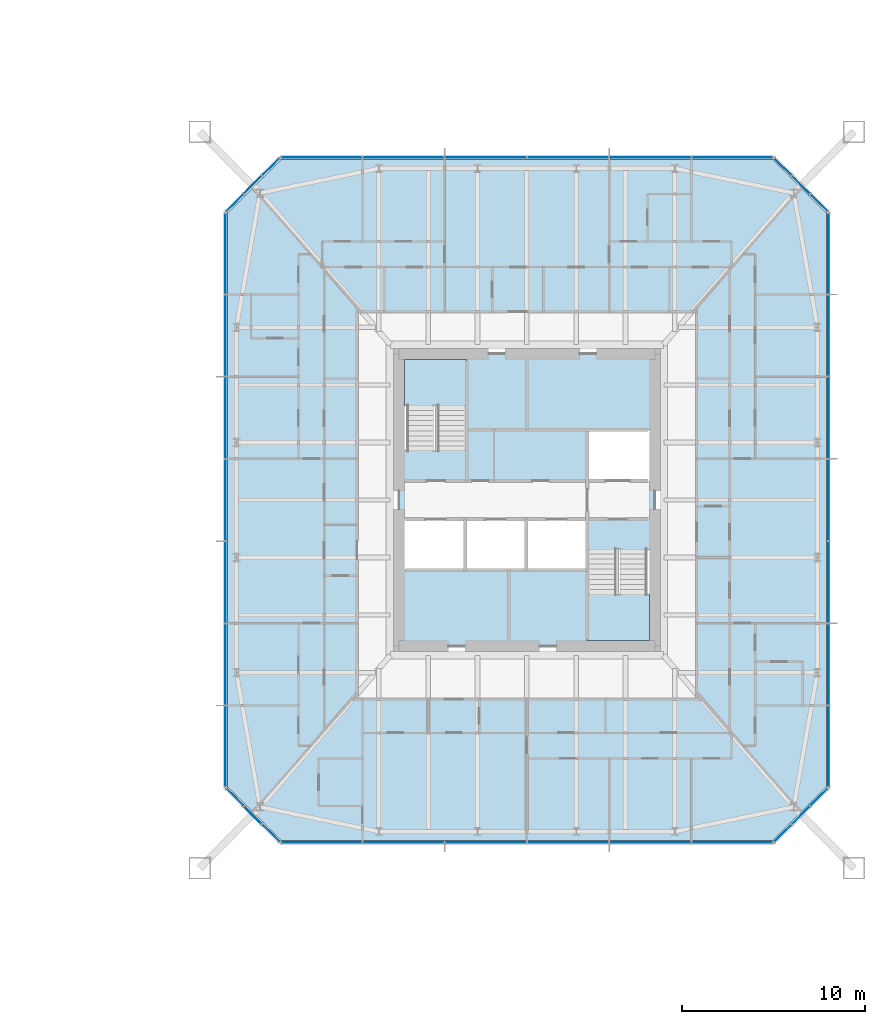
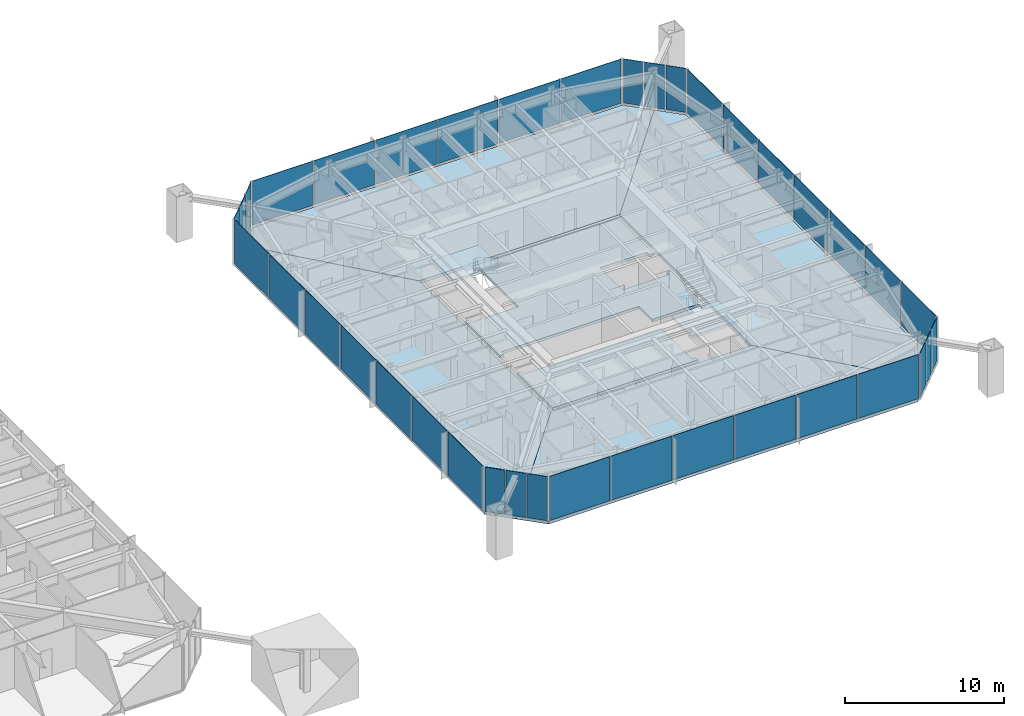
# One storey, part 13 of 26: 38 plates, 8 slabs, 10 elements without a shape of their own.
"""IFC4 building model written with IfcOpenShell, lengths in metres."""

from ifc_helpers import new_model, si_unit, direction, frame, origin, origin_2d, place, context, subcontext, project, spatial, polyline, rectangle, outline, extrude, material, layer, layer_set, constituent, constituent_set, type_object, element, aggregate, save


model = new_model("IFC4")

# Units and contexts
model_context = context("Model", 3, precision=1e-05, world=origin(), true_north=direction((0.0, 1.0)))
body_context = subcontext(model_context, "Body", "Model", "MODEL_VIEW")
ifc_project = project(units=[si_unit("LENGTHUNIT", "METRE"), si_unit("AREAUNIT", "SQUARE_METRE"), si_unit("VOLUMEUNIT", "CUBIC_METRE"), si_unit("PLANEANGLEUNIT", "RADIAN"), si_unit("MASSUNIT", "GRAM", prefix="KILO")], contexts=[model_context])

# Site, building, storey
site_placement = place(None, origin())
site = spatial("IfcSite", under=ifc_project, at=site_placement, CompositionType="ELEMENT")
building_placement = place(site_placement, origin())
building = spatial("IfcBuilding", under=site, at=building_placement, Name="Iwan Alto Co-Living Towers", CompositionType="ELEMENT")
storey_placement = place(building_placement, frame((0.0, 0.0, 22.0)))
storey = spatial("IfcBuildingStorey", under=building, at=storey_placement, Name="L05", CompositionType="ELEMENT", Elevation=22.0)

# Slabs
ifc_material_1 = material(Name="Concrete f'c 30 MPa", Category="concrete")
ifc_layer_1 = layer(ifc_material_1, 0.199951171875)
ifc_layer_set_1 = layer_set([ifc_layer_1], Name="CORE FLOOR SLAB 200")
slab_type_1 = type_object("IfcSlabType", Name="CORE FLOOR SLAB 200", PredefinedType="FLOOR", material=ifc_layer_set_1)
slab_1_placement = place(storey_placement, frame((0.0, 0.0, -0.199951171875)))
element("IfcSlab", 1, at=slab_1_placement, inside=storey, type_object=slab_type_1, Name="T2 core floor L05", PredefinedType="FLOOR", context=body_context, shape_type="SweptSolid", body=[
    extrude(outline(polyline([(70.0, -3.030029296875), (69.699951171875, -3.030029296875), (69.699951171875, -2.719970703125), (66.300048828125, -2.719970703125), (66.300048828125, -1.050048828125), (62.967041015625, -1.050048828125), (59.633056640625, -1.050048828125), (56.300048828125, -1.050048828125), (56.300048828125, -1.360107421875), (56.0, -1.360107421875), (56.0, 3.030029296875), (56.300048828125, 3.030029296875), (56.300048828125, 2.719970703125), (59.699951171875, 2.719970703125), (59.699951171875, 7.699951171875), (59.389892578125, 7.699951171875), (59.389892578125, 8.0), (70.0, 8.0), (70.0, 3.5400390625), (69.699951171875, 3.5400390625), (69.699951171875, 3.85009765625), (66.300048828125, 3.85009765625), (66.300048828125, 1.050048828125), (69.699951171875, 1.050048828125), (69.699951171875, 1.360107421875), (70.0, 1.360107421875), (70.0, -3.030029296875)])), origin(), (0.0, 0.0, 1.0), 0.199951171875),
])
slab_2_placement = place(storey_placement, frame((0.0, 0.0, -0.199951171875)))
element("IfcSlab", 2, at=slab_2_placement, inside=storey, type_object=slab_type_1, Name="T2 core floor L05", PredefinedType="FLOOR", context=body_context, shape_type="SweptSolid", body=[
    extrude(outline(polyline([(62.967041015625, -3.85009765625), (66.300048828125, -3.85009765625), (66.300048828125, -7.699951171875), (66.610107421875, -7.699951171875), (66.610107421875, -8.0), (56.0, -8.0), (56.0, -3.5400390625), (56.300048828125, -3.5400390625), (56.300048828125, -3.85009765625), (59.633056640625, -3.85009765625), (62.967041015625, -3.85009765625)])), origin(), (0.0, 0.0, 1.0), 0.199951171875),
])

# Curtain wall, plates
ifc_material_2 = material(Name="Bronze aluminium unitised frame", Category="aluminium")
curtain_wall_type_1 = type_object("IfcCurtainWallType", Name="CURTAIN WALL CW-C", PredefinedType="NOTDEFINED", material=ifc_material_2)
curtain_wall_1_placement = place(storey_placement, origin())
curtain_wall_1 = element("IfcCurtainWall", 3, at=curtain_wall_1_placement, inside=storey, type_object=curtain_wall_type_1, Name="T2 curtain wall S L05", PredefinedType="NOTDEFINED")
ifc_material_3 = material(Name="Bronze-tinted insulating glass", Category="glass")
ifc_layer_2 = layer(ifc_material_3, 0.031982421875)
ifc_layer_set_2 = layer_set([ifc_layer_2], Name="CW-C PANEL TINTED IGU 32")
plate_type_1 = type_object("IfcPlateType", Name="CW-C PANEL TINTED IGU 32", PredefinedType="CURTAIN_PANEL", material=ifc_layer_set_2)
plate_1_placement = place(storey_placement, frame((51.77001953125, -18.75, 0.10009765625), z_axis=(0.0, 0.0, 1.0), x_axis=(1.0, 0.0, 0.0)))
plate_1 = element("IfcPlate", 4, at=plate_1_placement, type_object=plate_type_1, Name="CW-C panel 1.1", PredefinedType="CURTAIN_PANEL", context=body_context, shape_type="SweptSolid", body=[
    extrude(rectangle(XDim=4.3798828125, YDim=0.031982421875, at=origin_2d()), origin(), (0.0, 0.0, 1.0), 3.39990234375),
])
plate_2_placement = place(storey_placement, frame((74.22998046875, -18.75, 0.10009765625), z_axis=(0.0, 0.0, 1.0), x_axis=(1.0, 0.0, 0.0)))
plate_2 = element("IfcPlate", 5, at=plate_2_placement, type_object=plate_type_1, Name="CW-C panel 6.1", PredefinedType="CURTAIN_PANEL", context=body_context, shape_type="SweptSolid", body=[
    extrude(rectangle(XDim=4.3798828125, YDim=0.031982421875, at=origin_2d()), origin(), (0.0, 0.0, 1.0), 3.39990234375),
])

curtain_wall_2_placement = place(storey_placement, origin())
curtain_wall_2 = element("IfcCurtainWall", 6, at=curtain_wall_2_placement, inside=storey, type_object=curtain_wall_type_1, Name="T2 curtain wall E L05", PredefinedType="NOTDEFINED")
plate_3_placement = place(storey_placement, frame((79.5, -13.47998046875, 0.10009765625), z_axis=(0.0, 0.0, 1.0), x_axis=(0.0, 1.0, 0.0)))
plate_3 = element("IfcPlate", 7, at=plate_3_placement, type_object=plate_type_1, Name="CW-C panel 1.1", PredefinedType="CURTAIN_PANEL", context=body_context, shape_type="SweptSolid", body=[
    extrude(rectangle(XDim=4.3798828125, YDim=0.031982421875, at=origin_2d()), origin(), (0.0, 0.0, 1.0), 3.39990234375),
])
plate_4_placement = place(storey_placement, frame((79.5, 0.0, 0.10009765625), z_axis=(0.0, 0.0, 1.0), x_axis=(0.0, 1.0, 0.0)))
plate_4 = element("IfcPlate", 8, at=plate_4_placement, type_object=plate_type_1, Name="CW-C panel 4.1", PredefinedType="CURTAIN_PANEL", context=body_context, shape_type="SweptSolid", body=[
    extrude(rectangle(XDim=4.419921875, YDim=0.031982421875, at=origin_2d()), origin(), (0.0, 0.0, 1.0), 3.39990234375),
])
plate_5_placement = place(storey_placement, frame((79.5, 13.47998046875, 0.10009765625), z_axis=(0.0, 0.0, 1.0), x_axis=(0.0, 1.0, 0.0)))
plate_5 = element("IfcPlate", 9, at=plate_5_placement, type_object=plate_type_1, Name="CW-C panel 7.1", PredefinedType="CURTAIN_PANEL", context=body_context, shape_type="SweptSolid", body=[
    extrude(rectangle(XDim=4.3798828125, YDim=0.031982421875, at=origin_2d()), origin(), (0.0, 0.0, 1.0), 3.39990234375),
])

curtain_wall_3_placement = place(storey_placement, origin())
curtain_wall_3 = element("IfcCurtainWall", 10, at=curtain_wall_3_placement, inside=storey, type_object=curtain_wall_type_1, Name="T2 curtain wall N L05", PredefinedType="NOTDEFINED")
plate_6_placement = place(storey_placement, frame((74.22998046875, 18.75, 0.10009765625), z_axis=(0.0, 0.0, 1.0), x_axis=(-1.0, 0.0, 0.0)))
plate_6 = element("IfcPlate", 11, at=plate_6_placement, type_object=plate_type_1, Name="CW-C panel 1.1", PredefinedType="CURTAIN_PANEL", context=body_context, shape_type="SweptSolid", body=[
    extrude(rectangle(XDim=4.3798828125, YDim=0.031982421875, at=origin_2d()), origin(), (0.0, 0.0, 1.0), 3.39990234375),
])
plate_7_placement = place(storey_placement, frame((51.77001953125, 18.75, 0.10009765625), z_axis=(0.0, 0.0, 1.0), x_axis=(-1.0, 0.0, 0.0)))
plate_7 = element("IfcPlate", 12, at=plate_7_placement, type_object=plate_type_1, Name="CW-C panel 6.1", PredefinedType="CURTAIN_PANEL", context=body_context, shape_type="SweptSolid", body=[
    extrude(rectangle(XDim=4.3798828125, YDim=0.031982421875, at=origin_2d()), origin(), (0.0, 0.0, 1.0), 3.39990234375),
])

curtain_wall_4_placement = place(storey_placement, origin())
curtain_wall_4 = element("IfcCurtainWall", 13, at=curtain_wall_4_placement, inside=storey, type_object=curtain_wall_type_1, Name="T2 curtain wall W L05", PredefinedType="NOTDEFINED")
plate_8_placement = place(storey_placement, frame((46.5, 13.47998046875, 0.10009765625), z_axis=(0.0, 0.0, 1.0), x_axis=(0.0, -1.0, 0.0)))
plate_8 = element("IfcPlate", 14, at=plate_8_placement, type_object=plate_type_1, Name="CW-C panel 1.1", PredefinedType="CURTAIN_PANEL", context=body_context, shape_type="SweptSolid", body=[
    extrude(rectangle(XDim=4.3798828125, YDim=0.031982421875, at=origin_2d()), origin(), (0.0, 0.0, 1.0), 3.39990234375),
])
plate_9_placement = place(storey_placement, frame((46.5, 0.0, 0.10009765625), z_axis=(0.0, 0.0, 1.0), x_axis=(0.0, -1.0, 0.0)))
plate_9 = element("IfcPlate", 15, at=plate_9_placement, type_object=plate_type_1, Name="CW-C panel 4.1", PredefinedType="CURTAIN_PANEL", context=body_context, shape_type="SweptSolid", body=[
    extrude(rectangle(XDim=4.419921875, YDim=0.031982421875, at=origin_2d()), origin(), (0.0, 0.0, 1.0), 3.39990234375),
])
plate_10_placement = place(storey_placement, frame((46.5, -13.47998046875, 0.10009765625), z_axis=(0.0, 0.0, 1.0), x_axis=(0.0, -1.0, 0.0)))
plate_10 = element("IfcPlate", 16, at=plate_10_placement, type_object=plate_type_1, Name="CW-C panel 7.1", PredefinedType="CURTAIN_PANEL", context=body_context, shape_type="SweptSolid", body=[
    extrude(rectangle(XDim=4.3798828125, YDim=0.031982421875, at=origin_2d()), origin(), (0.0, 0.0, 1.0), 3.39990234375),
])

# Plate
ifc_material_4 = material(Name="Insulated bronze aluminium spandrel panel", Category="aluminium")
ifc_layer_3 = layer(ifc_material_4, 0.031982421875)
ifc_layer_set_3 = layer_set([ifc_layer_3], Name="CW-C SPANDREL PANEL 32")
plate_type_2 = type_object("IfcPlateType", Name="CW-C SPANDREL PANEL 32", PredefinedType="CURTAIN_PANEL", material=ifc_layer_set_3)
plate_11_placement = place(storey_placement, frame((56.25, -18.75, 0.10009765625), z_axis=(0.0, 0.0, 1.0), x_axis=(1.0, 0.0, 0.0)))
plate_11 = element("IfcPlate", 17, at=plate_11_placement, type_object=plate_type_2, Name="CW-C spandrel panel 2.1 (braced bay)", PredefinedType="CURTAIN_PANEL", context=body_context, shape_type="SweptSolid", body=[
    extrude(rectangle(XDim=4.419921875, YDim=0.031982421875, at=origin_2d()), origin(), (0.0, 0.0, 1.0), 3.39990234375),
])

plate_12_placement = place(storey_placement, frame((60.75, -18.75, 0.10009765625), z_axis=(0.0, 0.0, 1.0), x_axis=(1.0, 0.0, 0.0)))
plate_12 = element("IfcPlate", 18, at=plate_12_placement, type_object=plate_type_2, Name="CW-C spandrel panel 3.1 (braced bay)", PredefinedType="CURTAIN_PANEL", context=body_context, shape_type="SweptSolid", body=[
    extrude(rectangle(XDim=4.419921875, YDim=0.031982421875, at=origin_2d()), origin(), (0.0, 0.0, 1.0), 3.39990234375),
])

plate_13_placement = place(storey_placement, frame((65.25, -18.75, 0.10009765625), z_axis=(0.0, 0.0, 1.0), x_axis=(1.0, 0.0, 0.0)))
plate_13 = element("IfcPlate", 19, at=plate_13_placement, type_object=plate_type_2, Name="CW-C spandrel panel 4.1 (braced bay)", PredefinedType="CURTAIN_PANEL", context=body_context, shape_type="SweptSolid", body=[
    extrude(rectangle(XDim=4.419921875, YDim=0.031982421875, at=origin_2d()), origin(), (0.0, 0.0, 1.0), 3.39990234375),
])

plate_14_placement = place(storey_placement, frame((69.75, -18.75, 0.10009765625), z_axis=(0.0, 0.0, 1.0), x_axis=(1.0, 0.0, 0.0)))
plate_14 = element("IfcPlate", 20, at=plate_14_placement, type_object=plate_type_2, Name="CW-C spandrel panel 5.1 (braced bay)", PredefinedType="CURTAIN_PANEL", context=body_context, shape_type="SweptSolid", body=[
    extrude(rectangle(XDim=4.419921875, YDim=0.031982421875, at=origin_2d()), origin(), (0.0, 0.0, 1.0), 3.39990234375),
])

aggregate(curtain_wall_1, [plate_1, plate_2, plate_11, plate_12, plate_13, plate_14])

plate_15_placement = place(storey_placement, frame((79.5, -9.0, 0.10009765625), z_axis=(0.0, 0.0, 1.0), x_axis=(0.0, 1.0, 0.0)))
plate_15 = element("IfcPlate", 21, at=plate_15_placement, type_object=plate_type_2, Name="CW-C spandrel panel 2.1 (braced bay)", PredefinedType="CURTAIN_PANEL", context=body_context, shape_type="SweptSolid", body=[
    extrude(rectangle(XDim=4.419921875, YDim=0.031982421875, at=origin_2d()), origin(), (0.0, 0.0, 1.0), 3.39990234375),
])

plate_16_placement = place(storey_placement, frame((79.5, -4.5, 0.10009765625), z_axis=(0.0, 0.0, 1.0), x_axis=(0.0, 1.0, 0.0)))
plate_16 = element("IfcPlate", 22, at=plate_16_placement, type_object=plate_type_2, Name="CW-C spandrel panel 3.1 (braced bay)", PredefinedType="CURTAIN_PANEL", context=body_context, shape_type="SweptSolid", body=[
    extrude(rectangle(XDim=4.419921875, YDim=0.031982421875, at=origin_2d()), origin(), (0.0, 0.0, 1.0), 3.39990234375),
])

plate_17_placement = place(storey_placement, frame((79.5, 4.5, 0.10009765625), z_axis=(0.0, 0.0, 1.0), x_axis=(0.0, 1.0, 0.0)))
plate_17 = element("IfcPlate", 23, at=plate_17_placement, type_object=plate_type_2, Name="CW-C spandrel panel 5.1 (braced bay)", PredefinedType="CURTAIN_PANEL", context=body_context, shape_type="SweptSolid", body=[
    extrude(rectangle(XDim=4.419921875, YDim=0.031982421875, at=origin_2d()), origin(), (0.0, 0.0, 1.0), 3.39990234375),
])

plate_18_placement = place(storey_placement, frame((79.5, 9.0, 0.10009765625), z_axis=(0.0, 0.0, 1.0), x_axis=(0.0, 1.0, 0.0)))
plate_18 = element("IfcPlate", 24, at=plate_18_placement, type_object=plate_type_2, Name="CW-C spandrel panel 6.1 (braced bay)", PredefinedType="CURTAIN_PANEL", context=body_context, shape_type="SweptSolid", body=[
    extrude(rectangle(XDim=4.419921875, YDim=0.031982421875, at=origin_2d()), origin(), (0.0, 0.0, 1.0), 3.39990234375),
])

aggregate(curtain_wall_2, [plate_3, plate_4, plate_5, plate_15, plate_16, plate_17, plate_18])

plate_19_placement = place(storey_placement, frame((69.75, 18.75, 0.10009765625), z_axis=(0.0, 0.0, 1.0), x_axis=(-1.0, 0.0, 0.0)))
plate_19 = element("IfcPlate", 25, at=plate_19_placement, type_object=plate_type_2, Name="CW-C spandrel panel 2.1 (braced bay)", PredefinedType="CURTAIN_PANEL", context=body_context, shape_type="SweptSolid", body=[
    extrude(rectangle(XDim=4.419921875, YDim=0.031982421875, at=origin_2d()), origin(), (0.0, 0.0, 1.0), 3.39990234375),
])

plate_20_placement = place(storey_placement, frame((65.25, 18.75, 0.10009765625), z_axis=(0.0, 0.0, 1.0), x_axis=(-1.0, 0.0, 0.0)))
plate_20 = element("IfcPlate", 26, at=plate_20_placement, type_object=plate_type_2, Name="CW-C spandrel panel 3.1 (braced bay)", PredefinedType="CURTAIN_PANEL", context=body_context, shape_type="SweptSolid", body=[
    extrude(rectangle(XDim=4.419921875, YDim=0.031982421875, at=origin_2d()), origin(), (0.0, 0.0, 1.0), 3.39990234375),
])

plate_21_placement = place(storey_placement, frame((60.75, 18.75, 0.10009765625), z_axis=(0.0, 0.0, 1.0), x_axis=(-1.0, 0.0, 0.0)))
plate_21 = element("IfcPlate", 27, at=plate_21_placement, type_object=plate_type_2, Name="CW-C spandrel panel 4.1 (braced bay)", PredefinedType="CURTAIN_PANEL", context=body_context, shape_type="SweptSolid", body=[
    extrude(rectangle(XDim=4.419921875, YDim=0.031982421875, at=origin_2d()), origin(), (0.0, 0.0, 1.0), 3.39990234375),
])

plate_22_placement = place(storey_placement, frame((56.25, 18.75, 0.10009765625), z_axis=(0.0, 0.0, 1.0), x_axis=(-1.0, 0.0, 0.0)))
plate_22 = element("IfcPlate", 28, at=plate_22_placement, type_object=plate_type_2, Name="CW-C spandrel panel 5.1 (braced bay)", PredefinedType="CURTAIN_PANEL", context=body_context, shape_type="SweptSolid", body=[
    extrude(rectangle(XDim=4.419921875, YDim=0.031982421875, at=origin_2d()), origin(), (0.0, 0.0, 1.0), 3.39990234375),
])

aggregate(curtain_wall_3, [plate_6, plate_7, plate_19, plate_20, plate_21, plate_22])

plate_23_placement = place(storey_placement, frame((46.5, 9.0, 0.10009765625), z_axis=(0.0, 0.0, 1.0), x_axis=(0.0, -1.0, 0.0)))
plate_23 = element("IfcPlate", 29, at=plate_23_placement, type_object=plate_type_2, Name="CW-C spandrel panel 2.1 (braced bay)", PredefinedType="CURTAIN_PANEL", context=body_context, shape_type="SweptSolid", body=[
    extrude(rectangle(XDim=4.419921875, YDim=0.031982421875, at=origin_2d()), origin(), (0.0, 0.0, 1.0), 3.39990234375),
])

plate_24_placement = place(storey_placement, frame((46.5, 4.5, 0.10009765625), z_axis=(0.0, 0.0, 1.0), x_axis=(0.0, -1.0, 0.0)))
plate_24 = element("IfcPlate", 30, at=plate_24_placement, type_object=plate_type_2, Name="CW-C spandrel panel 3.1 (braced bay)", PredefinedType="CURTAIN_PANEL", context=body_context, shape_type="SweptSolid", body=[
    extrude(rectangle(XDim=4.419921875, YDim=0.031982421875, at=origin_2d()), origin(), (0.0, 0.0, 1.0), 3.39990234375),
])

plate_25_placement = place(storey_placement, frame((46.5, -4.5, 0.10009765625), z_axis=(0.0, 0.0, 1.0), x_axis=(0.0, -1.0, 0.0)))
plate_25 = element("IfcPlate", 31, at=plate_25_placement, type_object=plate_type_2, Name="CW-C spandrel panel 5.1 (braced bay)", PredefinedType="CURTAIN_PANEL", context=body_context, shape_type="SweptSolid", body=[
    extrude(rectangle(XDim=4.419921875, YDim=0.031982421875, at=origin_2d()), origin(), (0.0, 0.0, 1.0), 3.39990234375),
])

plate_26_placement = place(storey_placement, frame((46.5, -9.0, 0.10009765625), z_axis=(0.0, 0.0, 1.0), x_axis=(0.0, -1.0, 0.0)))
plate_26 = element("IfcPlate", 32, at=plate_26_placement, type_object=plate_type_2, Name="CW-C spandrel panel 6.1 (braced bay)", PredefinedType="CURTAIN_PANEL", context=body_context, shape_type="SweptSolid", body=[
    extrude(rectangle(XDim=4.419921875, YDim=0.031982421875, at=origin_2d()), origin(), (0.0, 0.0, 1.0), 3.39990234375),
])

aggregate(curtain_wall_4, [plate_8, plate_9, plate_10, plate_23, plate_24, plate_25, plate_26])

# Curtain wall, plates
ifc_material_5 = material(Name="Bronze aluminium unitised frame", Category="aluminium")
curtain_wall_type_2 = type_object("IfcCurtainWallType", Name="CURTAIN WALL CW-D", PredefinedType="NOTDEFINED", material=ifc_material_5)
curtain_wall_5_placement = place(storey_placement, origin())
curtain_wall_5 = element("IfcCurtainWall", 33, at=curtain_wall_5_placement, inside=storey, type_object=curtain_wall_type_2, Name="T2 chamfer curtain wall SE L05", PredefinedType="NOTDEFINED")
ifc_material_6 = material(Name="Bronze-tinted insulating glass", Category="glass")
ifc_layer_4 = layer(ifc_material_6, 0.031982421875)
ifc_layer_set_4 = layer_set([ifc_layer_4], Name="CW-D PANEL TINTED IGU 32")
plate_type_3 = type_object("IfcPlateType", Name="CW-D PANEL TINTED IGU 32", PredefinedType="CURTAIN_PANEL", material=ifc_layer_set_4)
plate_27_placement = place(storey_placement, frame((77.01416015625, -18.23583984375, 0.10009765625), z_axis=(0.0, 0.0, 1.0), x_axis=(0.707106781187, 0.707106781187, 0.0)))
plate_27 = element("IfcPlate", 34, at=plate_27_placement, type_object=plate_type_3, Name="CW-D panel 1.1", PredefinedType="CURTAIN_PANEL", context=body_context, shape_type="SweptSolid", body=[
    extrude(rectangle(XDim=1.294189453125, YDim=0.031982421875, at=origin_2d()), origin(), (0.0, 0.0, 1.0), 3.39990234375),
])
plate_28_placement = place(storey_placement, frame((78.0, -17.25, 0.10009765625), z_axis=(0.0, 0.0, 1.0), x_axis=(0.707106781187, 0.707106781187, 0.0)))
plate_28 = element("IfcPlate", 35, at=plate_28_placement, type_object=plate_type_3, Name="CW-D panel 2.1", PredefinedType="CURTAIN_PANEL", context=body_context, shape_type="SweptSolid", body=[
    extrude(rectangle(XDim=1.334228515625, YDim=0.031982421875, at=origin_2d()), origin(), (0.0, 0.0, 1.0), 3.39990234375),
])
plate_29_placement = place(storey_placement, frame((78.98583984375, -16.26416015625, 0.10009765625), z_axis=(0.0, 0.0, 1.0), x_axis=(0.707106781187, 0.707106781187, 0.0)))
plate_29 = element("IfcPlate", 36, at=plate_29_placement, type_object=plate_type_3, Name="CW-D panel 3.1", PredefinedType="CURTAIN_PANEL", context=body_context, shape_type="SweptSolid", body=[
    extrude(rectangle(XDim=1.294189453125, YDim=0.031982421875, at=origin_2d()), origin(), (0.0, 0.0, 1.0), 3.39990234375),
])
aggregate(curtain_wall_5, [plate_27, plate_28, plate_29])

curtain_wall_6_placement = place(storey_placement, origin())
curtain_wall_6 = element("IfcCurtainWall", 37, at=curtain_wall_6_placement, inside=storey, type_object=curtain_wall_type_2, Name="T2 chamfer curtain wall NE L05", PredefinedType="NOTDEFINED")
plate_30_placement = place(storey_placement, frame((78.98583984375, 16.26416015625, 0.10009765625), z_axis=(0.0, 0.0, 1.0), x_axis=(-0.707106781187, 0.707106781187, 0.0)))
plate_30 = element("IfcPlate", 38, at=plate_30_placement, type_object=plate_type_3, Name="CW-D panel 1.1", PredefinedType="CURTAIN_PANEL", context=body_context, shape_type="SweptSolid", body=[
    extrude(rectangle(XDim=1.294189453125, YDim=0.031982421875, at=origin_2d()), origin(), (0.0, 0.0, 1.0), 3.39990234375),
])
plate_31_placement = place(storey_placement, frame((78.0, 17.25, 0.10009765625), z_axis=(0.0, 0.0, 1.0), x_axis=(-0.707106781187, 0.707106781187, 0.0)))
plate_31 = element("IfcPlate", 39, at=plate_31_placement, type_object=plate_type_3, Name="CW-D panel 2.1", PredefinedType="CURTAIN_PANEL", context=body_context, shape_type="SweptSolid", body=[
    extrude(rectangle(XDim=1.334228515625, YDim=0.031982421875, at=origin_2d()), origin(), (0.0, 0.0, 1.0), 3.39990234375),
])
plate_32_placement = place(storey_placement, frame((77.01416015625, 18.23583984375, 0.10009765625), z_axis=(0.0, 0.0, 1.0), x_axis=(-0.707106781187, 0.707106781187, 0.0)))
plate_32 = element("IfcPlate", 40, at=plate_32_placement, type_object=plate_type_3, Name="CW-D panel 3.1", PredefinedType="CURTAIN_PANEL", context=body_context, shape_type="SweptSolid", body=[
    extrude(rectangle(XDim=1.294189453125, YDim=0.031982421875, at=origin_2d()), origin(), (0.0, 0.0, 1.0), 3.39990234375),
])
aggregate(curtain_wall_6, [plate_30, plate_31, plate_32])

curtain_wall_7_placement = place(storey_placement, origin())
curtain_wall_7 = element("IfcCurtainWall", 41, at=curtain_wall_7_placement, inside=storey, type_object=curtain_wall_type_2, Name="T2 chamfer curtain wall NW L05", PredefinedType="NOTDEFINED")
plate_33_placement = place(storey_placement, frame((48.98583984375, 18.23583984375, 0.10009765625), z_axis=(0.0, 0.0, 1.0), x_axis=(-0.707106781187, -0.707106781187, 0.0)))
plate_33 = element("IfcPlate", 42, at=plate_33_placement, type_object=plate_type_3, Name="CW-D panel 1.1", PredefinedType="CURTAIN_PANEL", context=body_context, shape_type="SweptSolid", body=[
    extrude(rectangle(XDim=1.294189453125, YDim=0.031982421875, at=origin_2d()), origin(), (0.0, 0.0, 1.0), 3.39990234375),
])
plate_34_placement = place(storey_placement, frame((48.0, 17.25, 0.10009765625), z_axis=(0.0, 0.0, 1.0), x_axis=(-0.707106781187, -0.707106781187, 0.0)))
plate_34 = element("IfcPlate", 43, at=plate_34_placement, type_object=plate_type_3, Name="CW-D panel 2.1", PredefinedType="CURTAIN_PANEL", context=body_context, shape_type="SweptSolid", body=[
    extrude(rectangle(XDim=1.334228515625, YDim=0.031982421875, at=origin_2d()), origin(), (0.0, 0.0, 1.0), 3.39990234375),
])
plate_35_placement = place(storey_placement, frame((47.01416015625, 16.26416015625, 0.10009765625), z_axis=(0.0, 0.0, 1.0), x_axis=(-0.707106781187, -0.707106781187, 0.0)))
plate_35 = element("IfcPlate", 44, at=plate_35_placement, type_object=plate_type_3, Name="CW-D panel 3.1", PredefinedType="CURTAIN_PANEL", context=body_context, shape_type="SweptSolid", body=[
    extrude(rectangle(XDim=1.294189453125, YDim=0.031982421875, at=origin_2d()), origin(), (0.0, 0.0, 1.0), 3.39990234375),
])
aggregate(curtain_wall_7, [plate_33, plate_34, plate_35])

curtain_wall_8_placement = place(storey_placement, origin())
curtain_wall_8 = element("IfcCurtainWall", 45, at=curtain_wall_8_placement, inside=storey, type_object=curtain_wall_type_2, Name="T2 chamfer curtain wall SW L05", PredefinedType="NOTDEFINED")
plate_36_placement = place(storey_placement, frame((47.01416015625, -16.26416015625, 0.10009765625), z_axis=(0.0, 0.0, 1.0), x_axis=(0.707106781187, -0.707106781187, 0.0)))
plate_36 = element("IfcPlate", 46, at=plate_36_placement, type_object=plate_type_3, Name="CW-D panel 1.1", PredefinedType="CURTAIN_PANEL", context=body_context, shape_type="SweptSolid", body=[
    extrude(rectangle(XDim=1.294189453125, YDim=0.031982421875, at=origin_2d()), origin(), (0.0, 0.0, 1.0), 3.39990234375),
])
plate_37_placement = place(storey_placement, frame((48.0, -17.25, 0.10009765625), z_axis=(0.0, 0.0, 1.0), x_axis=(0.707106781187, -0.707106781187, 0.0)))
plate_37 = element("IfcPlate", 47, at=plate_37_placement, type_object=plate_type_3, Name="CW-D panel 2.1", PredefinedType="CURTAIN_PANEL", context=body_context, shape_type="SweptSolid", body=[
    extrude(rectangle(XDim=1.334228515625, YDim=0.031982421875, at=origin_2d()), origin(), (0.0, 0.0, 1.0), 3.39990234375),
])
plate_38_placement = place(storey_placement, frame((48.98583984375, -18.23583984375, 0.10009765625), z_axis=(0.0, 0.0, 1.0), x_axis=(0.707106781187, -0.707106781187, 0.0)))
plate_38 = element("IfcPlate", 48, at=plate_38_placement, type_object=plate_type_3, Name="CW-D panel 3.1", PredefinedType="CURTAIN_PANEL", context=body_context, shape_type="SweptSolid", body=[
    extrude(rectangle(XDim=1.294189453125, YDim=0.031982421875, at=origin_2d()), origin(), (0.0, 0.0, 1.0), 3.39990234375),
])
aggregate(curtain_wall_8, [plate_36, plate_37, plate_38])

# Stair, slab
ifc_material_7 = material(Name="Steel ASTM A36", Category="steel")
ifc_constituent_1 = constituent(ifc_material_7, Name="Stringers", Category="LoadBearing")
ifc_material_8 = material(Name="Concrete f'c 30 MPa", Category="concrete")
ifc_constituent_2 = constituent(ifc_material_8, Name="Tread fill", Category="Finish")
ifc_constituent_set = constituent_set(constituents=[ifc_constituent_1, ifc_constituent_2], Name="STAIR 3500 TWO-FLIGHT T2 CORE")
stair_type = type_object("IfcStairType", Name="STAIR 3500 TWO-FLIGHT T2 CORE", PredefinedType="HALF_TURN_STAIR", material=ifc_constituent_set)
stair_1_placement = place(storey_placement, origin())
stair_1 = element("IfcStair", 49, at=stair_1_placement, inside=storey, type_object=stair_type, Name="Stair T2-S1 L05 to L06", PredefinedType="HALF_TURN_STAIR")
ifc_material_9 = material(Name="Concrete f'c 30 MPa", Category="concrete")
ifc_layer_5 = layer(ifc_material_9, 0.199951171875)
ifc_layer_set_5 = layer_set([ifc_layer_5], Name="STAIR LANDING 200")
slab_type_2 = type_object("IfcSlabType", Name="STAIR LANDING 200", PredefinedType="LANDING", material=ifc_layer_set_5)
slab_3_placement = place(storey_placement, frame((0.0, 0.0, 1.550048828125)))
slab_3 = element("IfcSlab", 50, at=slab_3_placement, type_object=slab_type_2, Name="T2-S1 landing 1", PredefinedType="LANDING", context=body_context, shape_type="SweptSolid", body=[
    extrude(outline(polyline([(56.300048828125, 5.139892578125), (56.300048828125, 7.699951171875), (59.699951171875, 7.699951171875), (59.699951171875, 5.139892578125), (56.300048828125, 5.139892578125)])), origin(), (0.0, 0.0, 1.0), 0.199951171875),
])
aggregate(stair_1, [slab_3])

stair_2_placement = place(storey_placement, origin())
stair_2 = element("IfcStair", 51, at=stair_2_placement, inside=storey, type_object=stair_type, Name="Stair T2-S2 L05 to L06", PredefinedType="HALF_TURN_STAIR")
slab_4_placement = place(storey_placement, frame((0.0, 0.0, 1.550048828125)))
slab_4 = element("IfcSlab", 52, at=slab_4_placement, type_object=slab_type_2, Name="T2-S2 landing 1", PredefinedType="LANDING", context=body_context, shape_type="SweptSolid", body=[
    extrude(outline(polyline([(66.300048828125, -5.139892578125), (66.300048828125, -7.699951171875), (69.699951171875, -7.699951171875), (69.699951171875, -5.139892578125), (66.300048828125, -5.139892578125)])), origin(), (0.0, 0.0, 1.0), 0.199951171875),
])
aggregate(stair_2, [slab_4])

# Slabs
ifc_material_10 = material(Name="Concrete f'c 30 MPa", Category="concrete")
ifc_layer_6 = layer(ifc_material_10, 0.22998046875)
ifc_layer_set_6 = layer_set([ifc_layer_6], Name="T2 FLOOR SLAB 230")
slab_type_3 = type_object("IfcSlabType", Name="T2 FLOOR SLAB 230", PredefinedType="FLOOR", material=ifc_layer_set_6)
slab_5_placement = place(storey_placement, frame((0.0, 0.0, -0.22998046875)))
element("IfcSlab", 53, at=slab_5_placement, inside=storey, type_object=slab_type_3, Name="T2 floor slab L05 S pour", PredefinedType="FLOOR", context=body_context, shape_type="SweptSolid", body=[
    extrude(outline(polyline([(76.44140625, -18.64990234375), (49.55859375, -18.64990234375), (48.07568359375, -17.1669921875), (55.699951171875, -8.300048828125), (70.300048828125, -8.300048828125), (77.92431640625, -17.1669921875), (76.44140625, -18.64990234375)])), origin(), (0.0, 0.0, 1.0), 0.22998046875),
])
slab_6_placement = place(storey_placement, frame((0.0, 0.0, -0.22998046875)))
element("IfcSlab", 54, at=slab_6_placement, inside=storey, type_object=slab_type_3, Name="T2 floor slab L05 E pour", PredefinedType="FLOOR", context=body_context, shape_type="SweptSolid", body=[
    extrude(outline(polyline([(79.39990234375, 15.69140625), (79.39990234375, -15.69140625), (77.92431640625, -17.1669921875), (70.300048828125, -8.300048828125), (70.300048828125, 8.300048828125), (77.92431640625, 17.1669921875), (79.39990234375, 15.69140625)])), origin(), (0.0, 0.0, 1.0), 0.22998046875),
])
slab_7_placement = place(storey_placement, frame((0.0, 0.0, -0.22998046875)))
element("IfcSlab", 55, at=slab_7_placement, inside=storey, type_object=slab_type_3, Name="T2 floor slab L05 N pour", PredefinedType="FLOOR", context=body_context, shape_type="SweptSolid", body=[
    extrude(outline(polyline([(49.55859375, 18.64990234375), (76.44140625, 18.64990234375), (77.92431640625, 17.1669921875), (70.300048828125, 8.300048828125), (55.699951171875, 8.300048828125), (48.07568359375, 17.1669921875), (49.55859375, 18.64990234375)])), origin(), (0.0, 0.0, 1.0), 0.22998046875),
])
slab_8_placement = place(storey_placement, frame((0.0, 0.0, -0.22998046875)))
element("IfcSlab", 56, at=slab_8_placement, inside=storey, type_object=slab_type_3, Name="T2 floor slab L05 W pour", PredefinedType="FLOOR", context=body_context, shape_type="SweptSolid", body=[
    extrude(outline(polyline([(46.60009765625, 15.69140625), (48.07568359375, 17.1669921875), (55.699951171875, 8.300048828125), (55.699951171875, -8.300048828125), (48.07568359375, -17.1669921875), (46.60009765625, -15.69140625), (46.60009765625, 15.69140625)])), origin(), (0.0, 0.0, 1.0), 0.22998046875),
])

save(model, "model.ifc")
